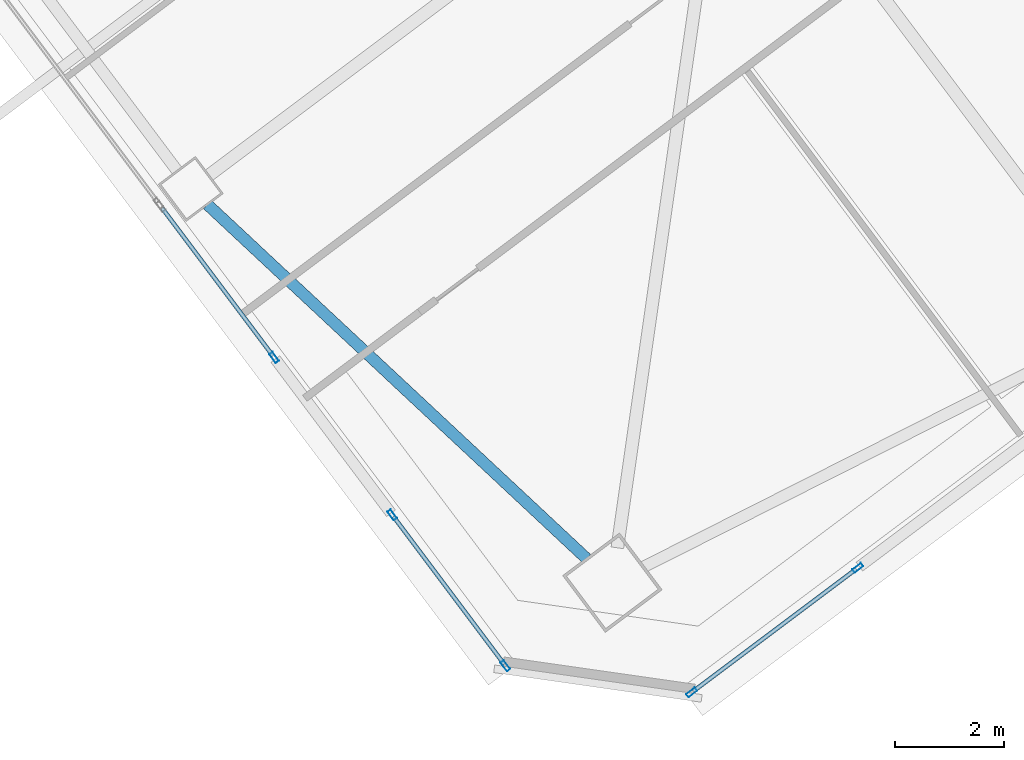
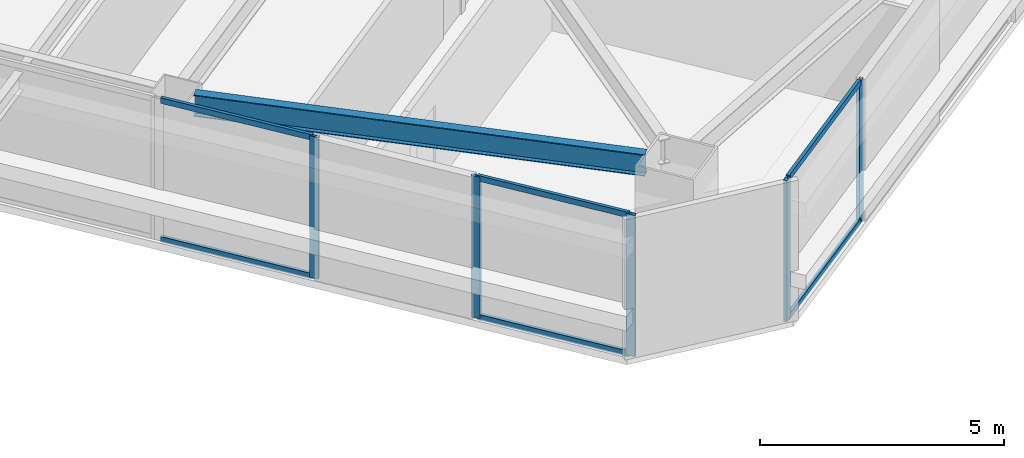
# One storey, part 20 of 46: 11 members, 1 beam, 3 elements without a shape of their own.
"""IFC4 building model written with IfcOpenShell, lengths in metres."""

import ifcopenshell
import ifcopenshell.guid

model = None  # the IFC model being written
_history = None  # IfcOwnerHistory: only IFC2X3 demands one
_inside = {}  # id of a spatial element -> (the spatial element, [elements in it])
_under = {}  # id of a project, library or spatial element -> (it, [spatial elements below it])
_declared = {}  # id of a project -> (the project, [libraries it declares])
_typed = {}  # id of a type object -> (the type object, [elements of that type])
_made_of = {}  # id of a material, layer set ... -> (it, [elements and type objects made of it])


def new_model(schema):
    """Start an empty IFC model of exactly this schema.

    Asked for "IFC4X3", IfcOpenShell would pick the latest addendum, in which some entities
    have other attributes; the version numbers below select the first issue.
    IFC2X3 requires an IfcOwnerHistory on every rooted entity: one is made here for all.
    """
    global model, _history
    if schema == "IFC4X3":
        model = ifcopenshell.file(schema_version=(4, 3, 0, 0))
    else:
        model = ifcopenshell.file(schema=schema)
    _inside.clear()
    _under.clear()
    _declared.clear()
    _typed.clear()
    _made_of.clear()
    _history = None
    if model.schema == "IFC2X3":
        org = make("IfcOrganization", Name="unknown")
        user = make(
            "IfcPersonAndOrganization",
            ThePerson=make("IfcPerson", FamilyName="unknown"),
            TheOrganization=org,
        )
        app = make(
            "IfcApplication",
            ApplicationDeveloper=org,
            Version="unknown",
            ApplicationFullName="unknown",
            ApplicationIdentifier="unknown",
        )
        _history = make(
            "IfcOwnerHistory",
            OwningUser=user,
            OwningApplication=app,
            ChangeAction="ADDED",
            CreationDate=0,
        )
    return model


def make(cls, **values):
    """One entity of the class cls with the attributes given. An attribute that is None is left unset."""
    return model.create_entity(
        cls, **{name: value for name, value in values.items() if value is not None}
    )


def rooted(cls, **values):
    """An entity with a GlobalId (a new one), such as an element, a storey or a relation."""
    return make(cls, GlobalId=ifcopenshell.guid.new(), OwnerHistory=_history, **values)


def si_unit(unit_type, name, prefix=None):
    """IfcSIUnit, for example si_unit("LENGTHUNIT", "METRE", prefix="MILLI")."""
    return make("IfcSIUnit", UnitType=unit_type, Prefix=prefix, Name=name)


def assignment(units):
    """IfcUnitAssignment: the units of a project."""
    return None if units is None else make("IfcUnitAssignment", Units=units)


def point(xyz):
    """IfcCartesianPoint."""
    return None if xyz is None else make("IfcCartesianPoint", Coordinates=xyz)


def direction(xyz):
    """IfcDirection."""
    return None if xyz is None else make("IfcDirection", DirectionRatios=xyz)


def frame(location, z_axis=None, x_axis=None):
    """IfcAxis2Placement3D, a coordinate frame: its origin and axes. An axis left out is left unset."""
    return make(
        "IfcAxis2Placement3D",
        Location=point(location),
        Axis=direction(z_axis),
        RefDirection=direction(x_axis),
    )


def frame_2d(location, x_axis=None):
    """IfcAxis2Placement2D, a coordinate frame in the plane: its origin and x axis."""
    return make(
        "IfcAxis2Placement2D", Location=point(location), RefDirection=direction(x_axis)
    )


def origin():
    """The frame at (0, 0, 0) with its axes left unset."""
    return frame((0.0, 0.0, 0.0))


def origin_2d():
    """The frame at (0, 0) in the plane with its x axis left unset."""
    return frame_2d((0.0, 0.0))


def place(relative_to, where):
    """IfcLocalPlacement: puts the frame where relative to a parent placement (None: the world)."""
    return make(
        "IfcLocalPlacement", PlacementRelTo=relative_to, RelativePlacement=where
    )


def context(
    kind, dimensions, precision=None, world=None, true_north=None, identifier=None
):
    """IfcGeometricRepresentationContext, for example the 3D "Model" context."""
    return make(
        "IfcGeometricRepresentationContext",
        ContextIdentifier=identifier,
        ContextType=kind,
        CoordinateSpaceDimension=dimensions,
        Precision=precision,
        WorldCoordinateSystem=world,
        TrueNorth=true_north,
    )


def subcontext(parent, identifier, kind, view, scale=None):
    """IfcGeometricRepresentationSubContext, for example "Body" below "Model"."""
    return make(
        "IfcGeometricRepresentationSubContext",
        ContextIdentifier=identifier,
        ContextType=kind,
        ParentContext=parent,
        TargetScale=scale,
        TargetView=view,
    )


def project(units=None, contexts=None):
    """IfcProject with its units and contexts."""
    return rooted(
        "IfcProject",
        Name="project",
        RepresentationContexts=contexts,
        UnitsInContext=assignment(units),
    )


def spatial(cls, under=None, at=None, **own):
    """A site, building, storey or space (cls), placed at a placement, below another one or the project."""
    s = rooted(cls, ObjectPlacement=at, **own)
    if under is not None:
        _under.setdefault(under.id(), (under, []))[1].append(s)
    return s


def profile(cls, at=None, kind="AREA", **sizes):
    """A parametric profile (cls). Its sizes go by their IFC names, for example OverallWidth=200.0."""
    return make(cls, ProfileType=kind, Position=at, **sizes)


def hollow_rectangle(**sizes):
    """IfcRectangleHollowProfileDef."""
    return profile("IfcRectangleHollowProfileDef", **sizes)


def i_section(**sizes):
    """IfcIShapeProfileDef."""
    return profile("IfcIShapeProfileDef", **sizes)


def extrude(swept, where, along, depth):
    """IfcExtrudedAreaSolid: the profile swept, set in the frame where, extruded along a direction by depth."""
    return make(
        "IfcExtrudedAreaSolid",
        SweptArea=swept,
        Position=where,
        ExtrudedDirection=direction(along),
        Depth=depth,
    )


def shape(context_of_items, identifier, shape_type, items):
    """IfcShapeRepresentation: the items that make up one representation, for example the "Body"."""
    return make(
        "IfcShapeRepresentation",
        ContextOfItems=context_of_items,
        RepresentationIdentifier=identifier,
        RepresentationType=shape_type,
        Items=items,
    )


def material(Name=None, Category=None):
    """IfcMaterial."""
    return make("IfcMaterial", Name=Name, Category=Category)


def material_profile(
    of_material, cross_section, Name=None, Category=None, Priority=None
):
    """IfcMaterialProfile: a cross section and its material."""
    return make(
        "IfcMaterialProfile",
        Name=Name,
        Material=of_material,
        Profile=cross_section,
        Priority=Priority,
        Category=Category,
    )


def profile_set(profiles, Name=None, composite=None):
    """IfcMaterialProfileSet."""
    return make(
        "IfcMaterialProfileSet",
        Name=Name,
        MaterialProfiles=profiles,
        CompositeProfile=composite,
    )


def made_of(thing, what):
    """Note that an element or type object is made of a material, layer set ...; save() writes the relation."""
    if what is not None:
        _made_of.setdefault(what.id(), (what, []))[1].append(thing)
    return thing


def type_object(cls, material=None, **own):
    """A type object (cls), such as IfcWallType, which elements share."""
    return made_of(rooted(cls, **own), material)


def element(
    cls,
    number,
    at=None,
    inside=None,
    cuts=None,
    type_object=None,
    material=None,
    context=None,
    identifier="Body",
    shape_type=None,
    held_by="IfcProductDefinitionShape",
    body=None,
    shapes=None,
    **own,
):
    """One element of the class cls, such as IfcWall. Its Tag is "e" and its number.

    at: its placement. inside: the storey or other place that contains it. cuts: it is an
    opening in that element (IfcRelVoidsElement). A single representation is given by context,
    identifier, shape_type and body (its items); several are given by shapes. held_by: the class
    of the entity that holds the representations. save() writes the other relations.
    """
    e = rooted(cls, Tag="e%d" % number, ObjectPlacement=at, **own)
    if body is not None:
        shapes = [shape(context, identifier, shape_type, body)]
    if shapes is not None:
        e.Representation = make(held_by, Representations=shapes)
    if inside is not None:
        _inside.setdefault(inside.id(), (inside, []))[1].append(e)
    if cuts is not None:
        rooted(
            "IfcRelVoidsElement", RelatingBuildingElement=cuts, RelatedOpeningElement=e
        )
    if type_object is not None:
        _typed.setdefault(type_object.id(), (type_object, []))[1].append(e)
    return made_of(e, material)


def aggregate(whole, parts):
    """IfcRelAggregates: a whole, such as a stair, and the parts it consists of."""
    return rooted("IfcRelAggregates", RelatingObject=whole, RelatedObjects=parts)


def save(model, path):
    """Write the relations noted so far, then the file.

    IfcRelAggregates (storeys below a building ...), IfcRelContainedInSpatialStructure (elements
    in a storey), IfcRelDefinesByType, IfcRelAssociatesMaterial and IfcRelDeclares: one each for
    every whole, place, type object, material and project.
    """
    for whole, parts in _under.values():
        aggregate(whole, parts)
    for where, things in _inside.values():
        rooted(
            "IfcRelContainedInSpatialStructure",
            RelatedElements=things,
            RelatingStructure=where,
        )
    for kind, things in _typed.values():
        rooted("IfcRelDefinesByType", RelatedObjects=things, RelatingType=kind)
    for what, things in _made_of.values():
        rooted("IfcRelAssociatesMaterial", RelatedObjects=things, RelatingMaterial=what)
    for by, libraries in _declared.values():
        rooted("IfcRelDeclares", RelatingContext=by, RelatedDefinitions=libraries)
    model.write(path)


model = new_model("IFC4")

# Units and contexts
model_context = context("Model", 3, precision=1e-05, world=origin(), true_north=direction((0.0, 1.0)))
body_context = subcontext(model_context, "Body", "Model", "MODEL_VIEW")
ifc_project = project(units=[si_unit("LENGTHUNIT", "METRE"), si_unit("AREAUNIT", "SQUARE_METRE"), si_unit("VOLUMEUNIT", "CUBIC_METRE"), si_unit("PLANEANGLEUNIT", "RADIAN"), si_unit("MASSUNIT", "GRAM", prefix="KILO")], contexts=[model_context])

# Site, building, storey
site_placement = place(None, origin())
site = spatial("IfcSite", under=ifc_project, at=site_placement, CompositionType="ELEMENT")
building_placement = place(site_placement, origin())
building = spatial("IfcBuilding", under=site, at=building_placement, Name="Tashvorn Skyway Center", CompositionType="ELEMENT")
storey_placement = place(building_placement, frame((0.0, 0.0, 139.25)))
storey = spatial("IfcBuildingStorey", under=building, at=storey_placement, Name="L37", CompositionType="ELEMENT", Elevation=139.25)

# Beam
ifc_material_1 = material(Name="Steel ASTM A992 Grade 50", Category="steel")
ifc_material_profile_1 = material_profile(ifc_material_1, i_section(OverallWidth=0.2109375, OverallDepth=0.5390625, WebThickness=0.01171875, FlangeThickness=0.018798828125, at=origin_2d()), Name="W21X73")
ifc_profile_set_1 = profile_set([ifc_material_profile_1], Name="Steel ASTM A992 Grade 50")
beam_type = type_object("IfcBeamType", Name="BM-SPANDREL-W21X73", PredefinedType="SPANDREL", material=ifc_profile_set_1)
beam_placement = place(storey_placement, frame((103.427001953125, 16.80322265625, 3.1005859375), z_axis=(0.730843250868, -0.682545341102, 0.0), x_axis=(0.682545341102, 0.730843250868, 0.0)))
element("IfcBeam", 1, at=beam_placement, inside=storey, type_object=beam_type, Name="Tower 2 L37 Spandrel Beam 12", PredefinedType="SPANDREL", context=body_context, shape_type="SweptSolid", body=[
    extrude(i_section(OverallWidth=0.2109375, OverallDepth=0.5390625, WebThickness=0.01171875, FlangeThickness=0.018798828125, at=origin_2d()), origin(), (0.0, 0.0, 1.0), 9.498046875),
])

# Curtain wall, members
ifc_material_2 = material(Name="Thermally broken bronze-anodized aluminium 6063-T6", Category="aluminium")
curtain_wall_type = type_object("IfcCurtainWallType", Name="CW-CW-Z3", PredefinedType="NOTDEFINED", material=ifc_material_2)
curtain_wall_1_placement = place(storey_placement, origin())
curtain_wall_1 = element("IfcCurtainWall", 2, at=curtain_wall_1_placement, inside=storey, type_object=curtain_wall_type, Name="Tower 2 L37 South Curtain Wall R Glazing Group 2", PredefinedType="NOTDEFINED")
ifc_material_profile_2 = material_profile(ifc_material_2, hollow_rectangle(XDim=0.074951171875, YDim=0.199951171875, WallThickness=0.00439453125, at=origin_2d()), Name="ALU-MULL-75x200")
ifc_profile_set_2 = profile_set([ifc_material_profile_2], Name="Thermally broken bronze-anodized aluminium 6063-T6")
member_type_1 = type_object("IfcMemberType", Name="CWM-CW-Z3", PredefinedType="MULLION", material=ifc_profile_set_2)
member_1_placement = place(storey_placement, frame((115.335205078125, 10.151611328125, 0.0), z_axis=(0.0, 0.0, 1.0), x_axis=(0.600004127279, -0.799996904524, 0.0)))
member_1 = element("IfcMember", 3, at=member_1_placement, type_object=member_type_1, Name="CW-Z3 mullion 1", PredefinedType="MULLION", context=body_context, shape_type="SweptSolid", body=[
    extrude(hollow_rectangle(XDim=0.074951171875, YDim=0.199951171875, WallThickness=0.00439453125, at=origin_2d()), origin(), (0.0, 0.0, 1.0), 3.550048828125),
])
member_2_placement = place(storey_placement, frame((112.2939453125, 7.87060546875, 0.0), z_axis=(0.0, 0.0, 1.0), x_axis=(0.600004127279, -0.799996904524, 0.0)))
member_2 = element("IfcMember", 4, at=member_2_placement, type_object=member_type_1, Name="CW-Z3 mullion 2", PredefinedType="MULLION", context=body_context, shape_type="SweptSolid", body=[
    extrude(hollow_rectangle(XDim=0.074951171875, YDim=0.199951171875, WallThickness=0.00439453125, at=origin_2d()), origin(), (0.0, 0.0, 1.0), 3.550048828125),
])

curtain_wall_2_placement = place(storey_placement, origin())
curtain_wall_2 = element("IfcCurtainWall", 5, at=curtain_wall_2_placement, inside=storey, type_object=curtain_wall_type, Name="Tower 2 L37 West Unitised Curtain Wall Glazing Group 1", PredefinedType="NOTDEFINED")
member_3_placement = place(storey_placement, frame((108.881591796875, 8.35791015625, 0.0), z_axis=(0.0, 0.0, 1.0), x_axis=(-0.800003400519, -0.599995465948, 0.0)))
member_3 = element("IfcMember", 6, at=member_3_placement, type_object=member_type_1, Name="CW-Z3 mullion 1", PredefinedType="MULLION", context=body_context, shape_type="SweptSolid", body=[
    extrude(hollow_rectangle(XDim=0.074951171875, YDim=0.199951171875, WallThickness=0.00439453125, at=origin_2d()), origin(), (0.0, 0.0, 1.0), 3.550048828125),
])
member_4_placement = place(storey_placement, frame((106.80908203125, 11.12109375, 0.0), z_axis=(0.0, 0.0, 1.0), x_axis=(-0.800003400519, -0.599995465948, 0.0)))
member_4 = element("IfcMember", 7, at=member_4_placement, type_object=member_type_1, Name="CW-Z3 mullion 2", PredefinedType="MULLION", context=body_context, shape_type="SweptSolid", body=[
    extrude(hollow_rectangle(XDim=0.074951171875, YDim=0.199951171875, WallThickness=0.00439453125, at=origin_2d()), origin(), (0.0, 0.0, 1.0), 3.550048828125),
])

# Curtain wall, member
curtain_wall_3_placement = place(storey_placement, origin())
curtain_wall_3 = element("IfcCurtainWall", 8, at=curtain_wall_3_placement, inside=storey, type_object=curtain_wall_type, Name="Tower 2 L37 West Unitised Curtain Wall Glazing Group 2", PredefinedType="NOTDEFINED")
member_5_placement = place(storey_placement, frame((104.646728515625, 14.004150390625, 0.0), z_axis=(0.0, 0.0, 1.0), x_axis=(-0.800003400519, -0.599995465948, 0.0)))
member_5 = element("IfcMember", 9, at=member_5_placement, type_object=member_type_1, Name="CW-Z3 mullion 1", PredefinedType="MULLION", context=body_context, shape_type="SweptSolid", body=[
    extrude(hollow_rectangle(XDim=0.074951171875, YDim=0.199951171875, WallThickness=0.00439453125, at=origin_2d()), origin(), (0.0, 0.0, 1.0), 3.550048828125),
])

# Member
ifc_material_profile_3 = material_profile(ifc_material_2, hollow_rectangle(XDim=0.074951171875, YDim=0.139892578125, WallThickness=0.004150390625, at=origin_2d()), Name="ALU-TRAN-75x140")
ifc_profile_set_3 = profile_set([ifc_material_profile_3], Name="Thermally broken bronze-anodized aluminium 6063-T6")
member_type_2 = type_object("IfcMemberType", Name="CWT-CW-Z3", PredefinedType="USERDEFINED", material=ifc_profile_set_3)
member_6_placement = place(storey_placement, frame((115.305419921875, 10.12890625, 0.03759765625), z_axis=(-0.800031444618, -0.599958071554, 0.0), x_axis=(0.599958071554, -0.800031444618, 0.0)))
member_6 = element("IfcMember", 10, at=member_6_placement, type_object=member_type_2, Name="CW-Z3 transom 1.1", ObjectType="TRANSOM", PredefinedType="USERDEFINED", context=body_context, shape_type="SweptSolid", body=[
    extrude(hollow_rectangle(XDim=0.074951171875, YDim=0.139892578125, WallThickness=0.004150390625, at=origin_2d()), origin(), (0.0, 0.0, 1.0), 3.7265625),
])

member_7_placement = place(storey_placement, frame((115.305419921875, 10.12890625, 3.512451171875), z_axis=(-0.800031444618, -0.599958071554, 0.0), x_axis=(0.599958071554, -0.800031444618, 0.0)))
member_7 = element("IfcMember", 11, at=member_7_placement, type_object=member_type_2, Name="CW-Z3 transom 1.2", ObjectType="TRANSOM", PredefinedType="USERDEFINED", context=body_context, shape_type="SweptSolid", body=[
    extrude(hollow_rectangle(XDim=0.074951171875, YDim=0.139892578125, WallThickness=0.004150390625, at=origin_2d()), origin(), (0.0, 0.0, 1.0), 3.7265625),
])

aggregate(curtain_wall_1, [member_1, member_2, member_6, member_7])

member_8_placement = place(storey_placement, frame((108.85888671875, 8.387939453125, 0.03759765625), z_axis=(-0.599953754218, 0.800034682248, 0.0), x_axis=(-0.800034682248, -0.599953754218, 0.0)))
member_8 = element("IfcMember", 12, at=member_8_placement, type_object=member_type_2, Name="CW-Z3 transom 1.1", ObjectType="TRANSOM", PredefinedType="USERDEFINED", context=body_context, shape_type="SweptSolid", body=[
    extrude(hollow_rectangle(XDim=0.074951171875, YDim=0.139892578125, WallThickness=0.004150390625, at=origin_2d()), origin(), (0.0, 0.0, 1.0), 3.378662109375),
])

member_9_placement = place(storey_placement, frame((108.85888671875, 8.387939453125, 3.512451171875), z_axis=(-0.599953754218, 0.800034682248, 0.0), x_axis=(-0.800034682248, -0.599953754218, 0.0)))
member_9 = element("IfcMember", 13, at=member_9_placement, type_object=member_type_2, Name="CW-Z3 transom 1.2", ObjectType="TRANSOM", PredefinedType="USERDEFINED", context=body_context, shape_type="SweptSolid", body=[
    extrude(hollow_rectangle(XDim=0.074951171875, YDim=0.139892578125, WallThickness=0.004150390625, at=origin_2d()), origin(), (0.0, 0.0, 1.0), 3.378662109375),
])

aggregate(curtain_wall_2, [member_3, member_4, member_8, member_9])

member_10_placement = place(storey_placement, frame((104.624267578125, 14.0341796875, 0.03759765625), z_axis=(-0.6, 0.8, 0.0), x_axis=(-0.8, -0.6, 0.0)))
member_10 = element("IfcMember", 14, at=member_10_placement, type_object=member_type_2, Name="CW-Z3 transom 1.1", ObjectType="TRANSOM", PredefinedType="USERDEFINED", context=body_context, shape_type="SweptSolid", body=[
    extrude(hollow_rectangle(XDim=0.074951171875, YDim=0.139892578125, WallThickness=0.004150390625, at=origin_2d()), origin(), (0.0, 0.0, 1.0), 3.37890625),
])

member_11_placement = place(storey_placement, frame((104.624267578125, 14.0341796875, 3.512451171875), z_axis=(-0.6, 0.8, 0.0), x_axis=(-0.8, -0.6, 0.0)))
member_11 = element("IfcMember", 15, at=member_11_placement, type_object=member_type_2, Name="CW-Z3 transom 1.2", ObjectType="TRANSOM", PredefinedType="USERDEFINED", context=body_context, shape_type="SweptSolid", body=[
    extrude(hollow_rectangle(XDim=0.074951171875, YDim=0.139892578125, WallThickness=0.004150390625, at=origin_2d()), origin(), (0.0, 0.0, 1.0), 3.37890625),
])

aggregate(curtain_wall_3, [member_5, member_10, member_11])

save(model, "model.ifc")
